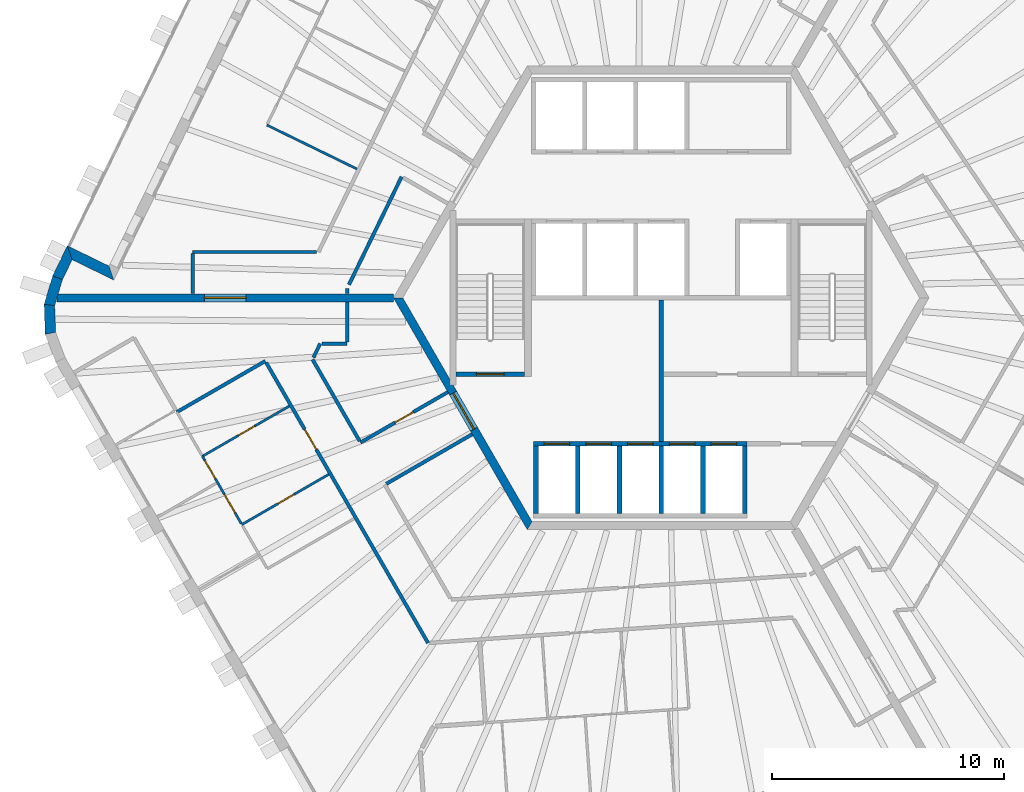
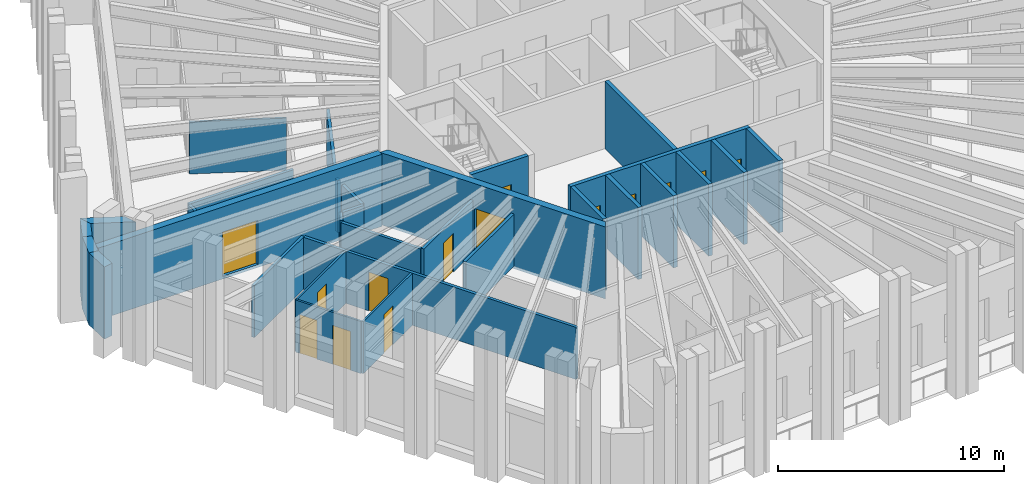
# One storey, part 4 of 12: 31 walls, 14 doors, 14 openings.
"""IFC4 building model written with IfcOpenShell, lengths in metres."""

from ifc_helpers import new_model, si_unit, direction, frame, frame_2d, origin, place, context, subcontext, project, spatial, polyline, rectangle, outline, extrude, material, layer, layer_set, type_object, element, fill, save


model = new_model("IFC4")

# Units and contexts
model_context = context("Model", 3, precision=1e-05, world=origin(), true_north=direction((0.0, 1.0)))
body_context = subcontext(model_context, "Body", "Model", "MODEL_VIEW")
ifc_project = project(units=[si_unit("LENGTHUNIT", "METRE"), si_unit("AREAUNIT", "SQUARE_METRE"), si_unit("VOLUMEUNIT", "CUBIC_METRE"), si_unit("PLANEANGLEUNIT", "RADIAN"), si_unit("MASSUNIT", "GRAM", prefix="KILO")], contexts=[model_context])

# Site, building, storey
site_placement = place(None, origin())
site = spatial("IfcSite", under=ifc_project, at=site_placement, CompositionType="ELEMENT")
building_placement = place(site_placement, origin())
building = spatial("IfcBuilding", under=site, at=building_placement, Name="Tarnside Tower", CompositionType="ELEMENT")
storey_placement = place(building_placement, frame((0.0, 0.0, 361.199951171875)))
storey = spatial("IfcBuildingStorey", under=building, at=storey_placement, Name="L87", CompositionType="ELEMENT", Elevation=361.199951171875)

# Wall, opening, door
ifc_material_1 = material(Name="Gypsum board partition on steel studs", Category="steel")
ifc_layer_1 = layer(ifc_material_1, 0.10009765625)
ifc_layer_set_1 = layer_set([ifc_layer_1], Name="Bathroom wall 100")
wall_type_1 = type_object("IfcWallType", Name="Bathroom wall 100", PredefinedType="PARTITIONING", material=ifc_layer_set_1)
wall_1_placement = place(storey_placement, frame((-16.03857421875, -4.67041015625, 0.0), z_axis=(0.0, 0.0, 1.0), x_axis=(-0.86604270489, -0.499970032409, 0.0)))
wall_1 = element("IfcWall", 1, at=wall_1_placement, inside=storey, type_object=wall_type_1, Name="Bathroom wall 28107", PredefinedType="PARTITIONING", context=body_context, shape_type="SweptSolid", body=[
    extrude(rectangle(XDim=4.324951171875, YDim=0.10009765625, at=frame_2d((2.16259765625, 0.0))), origin(), (0.0, 0.0, 1.0), 2.820068359375),
])
opening_1_placement = place(wall_1_placement, frame((1.72509765625, 0.0, 0.0)))
opening_1 = element("IfcOpeningElement", 2, at=opening_1_placement, cuts=wall_1, Name="Opening D-B1", PredefinedType="OPENING", context=body_context, shape_type="SweptSolid", body=[
    extrude(rectangle(XDim=0.800048828125, YDim=2.10009765625, at=frame_2d((0.39990234375, 1.050048828125))), frame((0.0, 0.06005859375, 0.0), z_axis=(0.0, -1.0, 0.0), x_axis=(1.0, 0.0, 0.0)), (0.0, 0.0, 1.0), 0.1201171875),
])
ifc_material_2 = material(Name="Timber door leaf", Category="wood")
door_type_1 = type_object("IfcDoorType", Name="Bathroom door 800", OperationType="NOTDEFINED", PredefinedType="DOOR", material=ifc_material_2)
door_1_placement = place(opening_1_placement, origin())
door_1 = element("IfcDoor", 3, at=door_1_placement, inside=storey, type_object=door_type_1, Name="Bathroom door 28027", OperationType="SINGLE_SWING_RIGHT", OverallHeight=2.10009765625, OverallWidth=0.800048828125, PredefinedType="DOOR", context=body_context, shape_type="SweptSolid", body=[
    extrude(rectangle(XDim=0.800048828125, YDim=2.10009765625, at=frame_2d((0.39990234375, 1.050048828125))), frame((0.0, 0.02490234375, 0.0), z_axis=(0.0, -1.0, 0.0), x_axis=(1.0, 0.0, 0.0)), (0.0, 0.0, 1.0), 0.050048828125),
])
fill(opening_1, door_1)

wall_2_placement = place(storey_placement, frame((-18.084228515625, -9.77734375, 0.0), z_axis=(0.0, 0.0, 1.0), x_axis=(0.866018262327, 0.500012369163, 0.0)))
wall_2 = element("IfcWall", 4, at=wall_2_placement, inside=storey, type_object=wall_type_1, Name="Bathroom wall 28110", PredefinedType="PARTITIONING", context=body_context, shape_type="SweptSolid", body=[
    extrude(rectangle(XDim=4.3251953125, YDim=0.10009765625, at=frame_2d((2.16259765625, 0.0))), origin(), (0.0, 0.0, 1.0), 2.820068359375),
])
opening_2_placement = place(wall_2_placement, frame((1.800048828125, 0.0, 0.0)))
opening_2 = element("IfcOpeningElement", 5, at=opening_2_placement, cuts=wall_2, Name="Opening D-B1", PredefinedType="OPENING", context=body_context, shape_type="SweptSolid", body=[
    extrude(rectangle(XDim=0.800048828125, YDim=2.10009765625, at=frame_2d((0.39990234375, 1.050048828125))), frame((0.0, 0.06005859375, 0.0), z_axis=(0.0, -1.0, 0.0), x_axis=(1.0, 0.0, 0.0)), (0.0, 0.0, 1.0), 0.1201171875),
])
door_2_placement = place(opening_2_placement, origin())
door_2 = element("IfcDoor", 6, at=door_2_placement, inside=storey, type_object=door_type_1, Name="Bathroom door 28038", OperationType="SINGLE_SWING_LEFT", OverallHeight=2.10009765625, OverallWidth=0.800048828125, PredefinedType="DOOR", context=body_context, shape_type="SweptSolid", body=[
    extrude(rectangle(XDim=0.800048828125, YDim=2.10009765625, at=frame_2d((0.39990234375, 1.050048828125))), frame((0.0, 0.02490234375, 0.0), z_axis=(0.0, -1.0, 0.0), x_axis=(1.0, 0.0, 0.0)), (0.0, 0.0, 1.0), 0.050048828125),
])
fill(opening_2, door_2)

# Wall
ifc_material_3 = material(Name="Concrete C40/50", Category="concrete")
ifc_layer_2 = layer(ifc_material_3, 0.199951171875)
ifc_layer_set_2 = layer_set([ifc_layer_2], Name="Core room partition 200 C40/50")
wall_type_2 = type_object("IfcWallType", Name="Core room partition 200 C40/50", PredefinedType="PARTITIONING", material=ifc_layer_set_2)
wall_3_placement = place(storey_placement, frame((0.0, -6.199951171875, 0.0), z_axis=(0.0, 0.0, 1.0), x_axis=(0.0, 1.0, 0.0)))
element("IfcWall", 7, at=wall_3_placement, inside=storey, type_object=wall_type_2, Name="L87 core partition X0", PredefinedType="PARTITIONING", context=body_context, shape_type="SweptSolid", body=[
    extrude(rectangle(XDim=6.099853515625, YDim=0.199951171875, at=frame_2d((3.0498046875, 0.0))), origin(), (0.0, 0.0, 1.0), 3.650146484375),
])

# Wall, opening, door
ifc_material_4 = material(Name="Concrete C50/60", Category="concrete")
ifc_layer_3 = layer(ifc_material_4, 0.35009765625)
ifc_layer_set_3 = layer_set([ifc_layer_3], Name="Core wall Z4 350 C50/60")
wall_type_3 = type_object("IfcWallType", Name="Core wall Z4 350 C50/60", PredefinedType="SHEAR", material=ifc_layer_set_3)
wall_4_placement = place(storey_placement, frame((-11.344970703125, 0.0, -0.14990234375), z_axis=(0.0, 0.0, 1.0), x_axis=(0.499995046907, -0.866028263435, 0.0)))
wall_4 = element("IfcWall", 8, at=wall_4_placement, inside=storey, type_object=wall_type_3, Name="L87 core wall face 3", PredefinedType="SHEAR", context=body_context, shape_type="SweptSolid", body=[
    extrude(outline(polyline([(-0.10107421875, -0.175048828125), (11.44580078125, -0.175048828125), (11.24365234375, 0.175048828125), (0.10107421875, 0.175048828125), (-0.10107421875, -0.175048828125)])), origin(), (0.0, 0.0, 1.0), 3.89990234375),
])
opening_3_placement = place(wall_4_placement, frame((4.74365234375, 0.0, 0.14990234375)))
opening_3 = element("IfcOpeningElement", 9, at=opening_3_placement, cuts=wall_4, Name="Opening CD-FFL", PredefinedType="OPENING", context=body_context, shape_type="SweptSolid", body=[
    extrude(rectangle(XDim=1.800048828125, YDim=2.39990234375, at=frame_2d((0.89990234375, 1.199951171875))), frame((0.0, 0.18505859375, 0.0), z_axis=(0.0, -1.0, 0.0), x_axis=(1.0, 0.0, 0.0)), (0.0, 0.0, 1.0), 0.3701171875),
])
ifc_material_5 = material(Name="Steel fire door", Category="steel")
door_type_2 = type_object("IfcDoorType", Name="Firefighting lobby double door FD60S 1800x2400", OperationType="NOTDEFINED", PredefinedType="DOOR", material=ifc_material_5)
door_3_placement = place(opening_3_placement, origin())
door_3 = element("IfcDoor", 10, at=door_3_placement, inside=storey, type_object=door_type_2, Name="L87 core door P3", OperationType="DOUBLE_DOOR_SINGLE_SWING", OverallHeight=2.39990234375, OverallWidth=1.800048828125, PredefinedType="DOOR", context=body_context, shape_type="SweptSolid", body=[
    extrude(rectangle(XDim=1.800048828125, YDim=2.39990234375, at=frame_2d((0.89990234375, 1.199951171875))), frame((0.0, 0.02490234375, 0.0), z_axis=(0.0, -1.0, 0.0), x_axis=(1.0, 0.0, 0.0)), (0.0, 0.0, 1.0), 0.050048828125),
])
fill(opening_3, door_3)

wall_5_placement = place(storey_placement, frame((-11.547119140625, 0.0, -0.14990234375), z_axis=(0.0, 0.0, 1.0), x_axis=(-1.0, 0.0, 0.0)))
wall_5 = element("IfcWall", 11, at=wall_5_placement, inside=storey, type_object=wall_type_3, Name="L87 spine wall 2", PredefinedType="SHEAR", context=body_context, shape_type="SweptSolid", body=[
    extrude(rectangle(XDim=14.510498046875, YDim=0.35009765625, at=frame_2d((7.25537109375, 0.0))), origin(), (0.0, 0.0, 1.0), 3.89990234375),
])
opening_4_placement = place(wall_5_placement, frame((6.355224609375, 0.0, 0.14990234375)))
opening_4 = element("IfcOpeningElement", 12, at=opening_4_placement, cuts=wall_5, Name="Opening CD-SPN", PredefinedType="OPENING", context=body_context, shape_type="SweptSolid", body=[
    extrude(rectangle(XDim=1.800048828125, YDim=2.39990234375, at=frame_2d((0.89990234375, 1.199951171875))), frame((0.0, 0.18505859375, 0.0), z_axis=(0.0, -1.0, 0.0), x_axis=(1.0, 0.0, 0.0)), (0.0, 0.0, 1.0), 0.3701171875),
])
door_type_3 = type_object("IfcDoorType", Name="Spine passage double door FD60 1800x2400", OperationType="NOTDEFINED", PredefinedType="DOOR", material=ifc_material_5)
door_4_placement = place(opening_4_placement, origin())
door_4 = element("IfcDoor", 13, at=door_4_placement, inside=storey, type_object=door_type_3, Name="L87 spine passage door 2", OperationType="DOUBLE_DOOR_SINGLE_SWING", OverallHeight=2.39990234375, OverallWidth=1.800048828125, PredefinedType="DOOR", context=body_context, shape_type="SweptSolid", body=[
    extrude(rectangle(XDim=1.800048828125, YDim=2.39990234375, at=frame_2d((0.89990234375, 1.199951171875))), frame((0.0, 0.02490234375, 0.0), z_axis=(0.0, -1.0, 0.0), x_axis=(1.0, 0.0, 0.0)), (0.0, 0.0, 1.0), 0.050048828125),
])
fill(opening_4, door_4)

# Walls
ifc_layer_4 = layer(ifc_material_1, 0.14990234375)
ifc_layer_set_4 = layer_set([ifc_layer_4], Name="Corridor wall 150 EI 60")
wall_type_4 = type_object("IfcWallType", Name="Corridor wall 150 EI 60", PredefinedType="PARTITIONING", material=ifc_layer_set_4)
wall_6_placement = place(storey_placement, frame((-14.863525390625, 1.97509765625, 0.0), z_axis=(0.0, 0.0, 1.0), x_axis=(-1.0, 0.0, 0.0)))
element("IfcWall", 14, at=wall_6_placement, inside=storey, type_object=wall_type_4, Name="Corridor wall 28011", PredefinedType="PARTITIONING", context=body_context, shape_type="SweptSolid", body=[
    extrude(rectangle(XDim=5.3388671875, YDim=0.14990234375, at=frame_2d((2.66943359375, 0.0))), origin(), (0.0, 0.0, 1.0), 2.820068359375),
])
wall_7_placement = place(storey_placement, frame((-20.202392578125, 1.89990234375, 0.0), z_axis=(0.0, 0.0, 1.0), x_axis=(0.0, -1.0, 0.0)))
element("IfcWall", 15, at=wall_7_placement, inside=storey, type_object=wall_type_4, Name="Corridor wall 28012", PredefinedType="PARTITIONING", context=body_context, shape_type="SweptSolid", body=[
    extrude(rectangle(XDim=1.724853515625, YDim=0.14990234375, at=frame_2d((0.8623046875, 0.0))), origin(), (0.0, 0.0, 1.0), 2.820068359375),
])
wall_8_placement = place(storey_placement, frame((-13.54052734375, 0.175048828125, 0.0), z_axis=(0.0, 0.0, 1.0), x_axis=(0.0, 1.0, 0.0)))
element("IfcWall", 16, at=wall_8_placement, inside=storey, type_object=wall_type_4, Name="Corridor wall 28017", PredefinedType="PARTITIONING", context=body_context, shape_type="SweptSolid", body=[
    extrude(rectangle(XDim=0.235107421875, YDim=0.14990234375, at=frame_2d((0.11767578125, 0.0))), origin(), (0.0, 0.0, 1.0), 2.820068359375),
])
wall_9_placement = place(storey_placement, frame((-13.465576171875, 0.563720703125, 0.0), z_axis=(0.0, 0.0, 1.0), x_axis=(0.438366040624, 0.898796536724, 0.0)))
element("IfcWall", 17, at=wall_9_placement, inside=storey, type_object=wall_type_4, Name="Corridor wall 28018", PredefinedType="PARTITIONING", context=body_context, shape_type="SweptSolid", body=[
    extrude(rectangle(XDim=5.178466796875, YDim=0.14990234375, at=frame_2d((2.58935546875, 0.0))), origin(), (0.0, 0.0, 1.0), 2.820068359375),
])

# Wall, opening, door
wall_10_placement = place(storey_placement, frame((-17.0361328125, -2.79248046875, 0.0), z_axis=(0.0, 0.0, 1.0), x_axis=(0.500006428338, -0.86602169235, 0.0)))
wall_10 = element("IfcWall", 18, at=wall_10_placement, inside=storey, type_object=wall_type_4, Name="Corridor wall 28026", PredefinedType="PARTITIONING", context=body_context, shape_type="SweptSolid", body=[
    extrude(rectangle(XDim=13.966064453125, YDim=0.14990234375, at=frame_2d((6.98291015625, 0.0))), origin(), (0.0, 0.0, 1.0), 2.820068359375),
])
opening_5_placement = place(wall_10_placement, frame((3.324951171875, 0.0, 0.0)))
opening_5 = element("IfcOpeningElement", 19, at=opening_5_placement, cuts=wall_10, Name="Opening D-E1", PredefinedType="OPENING", context=body_context, shape_type="SweptSolid", body=[
    extrude(rectangle(XDim=1.0, YDim=2.10009765625, at=frame_2d((0.5, 1.050048828125))), frame((0.0, 0.0849609375, 0.0), z_axis=(0.0, -1.0, 0.0), x_axis=(1.0, 0.0, 0.0)), (0.0, 0.0, 1.0), 0.169921875),
])
door_type_4 = type_object("IfcDoorType", Name="Unit entrance door 1000 FD30S", OperationType="NOTDEFINED", PredefinedType="DOOR", material=ifc_material_2)
door_5_placement = place(opening_5_placement, origin())
door_5 = element("IfcDoor", 20, at=door_5_placement, inside=storey, type_object=door_type_4, Name="Unit door 28026", OperationType="SINGLE_SWING_RIGHT", OverallHeight=2.10009765625, OverallWidth=1.0, PredefinedType="DOOR", context=body_context, shape_type="SweptSolid", body=[
    extrude(rectangle(XDim=1.0, YDim=2.10009765625, at=frame_2d((0.5, 1.050048828125))), frame((0.0, 0.02490234375, 0.0), z_axis=(0.0, -1.0, 0.0), x_axis=(1.0, 0.0, 0.0)), (0.0, 0.0, 1.0), 0.050048828125),
])
fill(opening_5, door_5)

# Wall
wall_11_placement = place(storey_placement, frame((-20.88427734375, -4.927490234375, 0.0), z_axis=(0.0, 0.0, 1.0), x_axis=(0.866032203192, 0.499988222896, 0.0)))
element("IfcWall", 21, at=wall_11_placement, inside=storey, type_object=wall_type_4, Name="Corridor wall 28029", PredefinedType="PARTITIONING", context=body_context, shape_type="SweptSolid", body=[
    extrude(rectangle(XDim=4.39990234375, YDim=0.14990234375, at=frame_2d((2.199951171875, 0.0))), origin(), (0.0, 0.0, 1.0), 2.820068359375),
])

# Wall, opening, door
wall_12_placement = place(storey_placement, frame((-9.19970703125, -4.065673828125, 0.0), z_axis=(0.0, 0.0, 1.0), x_axis=(-0.866013608182, -0.500020430026, 0.0)))
wall_12 = element("IfcWall", 22, at=wall_12_placement, inside=storey, type_object=wall_type_4, Name="Corridor wall 28040", PredefinedType="PARTITIONING", context=body_context, shape_type="SweptSolid", body=[
    extrude(rectangle(XDim=4.349853515625, YDim=0.14990234375, at=frame_2d((2.1748046875, 0.0))), origin(), (0.0, 0.0, 1.0), 2.820068359375),
])
opening_6_placement = place(wall_12_placement, frame((1.72509765625, 0.0, 0.0)))
opening_6 = element("IfcOpeningElement", 23, at=opening_6_placement, cuts=wall_12, Name="Opening D-S1", PredefinedType="OPENING", context=body_context, shape_type="SweptSolid", body=[
    extrude(rectangle(XDim=0.89990234375, YDim=2.10009765625, at=frame_2d((0.449951171875, 1.050048828125))), frame((0.0, 0.0849609375, 0.0), z_axis=(0.0, -1.0, 0.0), x_axis=(1.0, 0.0, 0.0)), (0.0, 0.0, 1.0), 0.169921875),
])
door_type_5 = type_object("IfcDoorType", Name="Service room door 900 FD30S", OperationType="NOTDEFINED", PredefinedType="DOOR", material=ifc_material_2)
door_6_placement = place(opening_6_placement, origin())
door_6 = element("IfcDoor", 24, at=door_6_placement, inside=storey, type_object=door_type_5, Name="Service door 28065", OperationType="SINGLE_SWING_LEFT", OverallHeight=2.10009765625, OverallWidth=0.89990234375, PredefinedType="DOOR", context=body_context, shape_type="SweptSolid", body=[
    extrude(rectangle(XDim=0.89990234375, YDim=2.10009765625, at=frame_2d((0.449951171875, 1.050048828125))), frame((0.0, 0.02490234375, 0.0), z_axis=(0.0, -1.0, 0.0), x_axis=(1.0, 0.0, 0.0)), (0.0, 0.0, 1.0), 0.050048828125),
])
fill(opening_6, door_6)

# Walls
wall_13_placement = place(storey_placement, frame((-13.00439453125, -6.17578125, 0.0), z_axis=(0.0, 0.0, 1.0), x_axis=(-0.500022342669, 0.866012503854, 0.0)))
element("IfcWall", 25, at=wall_13_placement, inside=storey, type_object=wall_type_4, Name="Corridor wall 28041", PredefinedType="PARTITIONING", context=body_context, shape_type="SweptSolid", body=[
    extrude(rectangle(XDim=4.063720703125, YDim=0.14990234375, at=frame_2d((2.03173828125, 0.0))), origin(), (0.0, 0.0, 1.0), 2.820068359375),
])
wall_14_placement = place(storey_placement, frame((-14.99658203125, -2.5751953125, 0.0), z_axis=(0.0, 0.0, 1.0), x_axis=(0.438416427913, 0.898771959808, 0.0)))
element("IfcWall", 26, at=wall_14_placement, inside=storey, type_object=wall_type_4, Name="Corridor wall 28042", PredefinedType="PARTITIONING", context=body_context, shape_type="SweptSolid", body=[
    extrude(rectangle(XDim=0.667724609375, YDim=0.14990234375, at=frame_2d((0.333984375, 0.0))), origin(), (0.0, 0.0, 1.0), 2.820068359375),
])
wall_15_placement = place(storey_placement, frame((-14.620361328125, -1.97509765625, 0.0), z_axis=(0.0, 0.0, 1.0), x_axis=(1.0, 0.0, 0.0)))
element("IfcWall", 27, at=wall_15_placement, inside=storey, type_object=wall_type_4, Name="Corridor wall 28043", PredefinedType="PARTITIONING", context=body_context, shape_type="SweptSolid", body=[
    extrude(rectangle(XDim=1.079833984375, YDim=0.14990234375, at=frame_2d((0.5400390625, 0.0))), origin(), (0.0, 0.0, 1.0), 2.820068359375),
])
wall_16_placement = place(storey_placement, frame((-13.54052734375, -1.89990234375, 0.0), z_axis=(0.0, 0.0, 1.0), x_axis=(0.0, 1.0, 0.0)))
element("IfcWall", 28, at=wall_16_placement, inside=storey, type_object=wall_type_4, Name="Corridor wall 28044", PredefinedType="PARTITIONING", context=body_context, shape_type="SweptSolid", body=[
    extrude(rectangle(XDim=1.724853515625, YDim=0.14990234375, at=frame_2d((0.8623046875, 0.0))), origin(), (0.0, 0.0, 1.0), 2.820068359375),
])
wall_17_placement = place(storey_placement, frame((-11.85205078125, -8.021728515625, 0.0), z_axis=(0.0, 0.0, 1.0), x_axis=(0.866038183914, 0.499977863513, 0.0)))
element("IfcWall", 29, at=wall_17_placement, inside=storey, type_object=wall_type_4, Name="Corridor wall 28048", PredefinedType="PARTITIONING", context=body_context, shape_type="SweptSolid", body=[
    extrude(rectangle(XDim=4.275146484375, YDim=0.14990234375, at=frame_2d((2.1376953125, 0.0))), origin(), (0.0, 0.0, 1.0), 2.820068359375),
])

# Wall, openings, doors
ifc_layer_5 = layer(ifc_material_3, 0.199951171875)
ifc_layer_set_5 = layer_set([ifc_layer_5], Name="Lift shaft wall 200 C40/50")
wall_type_5 = type_object("IfcWallType", Name="Lift shaft wall 200 C40/50", PredefinedType="SHEAR", material=ifc_layer_set_5)
wall_18_placement = place(storey_placement, frame((-5.5, -6.300048828125, -0.25), z_axis=(0.0, 0.0, 1.0), x_axis=(1.0, 0.0, 0.0)))
wall_18 = element("IfcWall", 30, at=wall_18_placement, inside=storey, type_object=wall_type_5, Name="L87 lift shaft front wall R4", PredefinedType="SHEAR", context=body_context, shape_type="SweptSolid", body=[
    extrude(rectangle(XDim=9.199951171875, YDim=0.199951171875, at=frame_2d((4.60009765625, 0.0))), origin(), (0.0, 0.0, 1.0), 3.900146484375),
])
opening_7_placement = place(wall_18_placement, frame((0.449951171875, 0.0, 0.25)))
opening_7 = element("IfcOpeningElement", 31, at=opening_7_placement, cuts=wall_18, Name="Opening LDF", PredefinedType="OPENING", context=body_context, shape_type="SweptSolid", body=[
    extrude(rectangle(XDim=1.10009765625, YDim=2.10009765625, at=frame_2d((0.550048828125, 1.050048828125))), frame((0.0, 0.10986328125, 0.0), z_axis=(0.0, -1.0, 0.0), x_axis=(1.0, 0.0, 0.0)), (0.0, 0.0, 1.0), 0.219970703125),
])
opening_8_placement = place(wall_18_placement, frame((2.25, 0.0, 0.25)))
opening_8 = element("IfcOpeningElement", 32, at=opening_8_placement, cuts=wall_18, Name="Opening LDF", PredefinedType="OPENING", context=body_context, shape_type="SweptSolid", body=[
    extrude(rectangle(XDim=1.10009765625, YDim=2.10009765625, at=frame_2d((0.550048828125, 1.050048828125))), frame((0.0, 0.10986328125, 0.0), z_axis=(0.0, -1.0, 0.0), x_axis=(1.0, 0.0, 0.0)), (0.0, 0.0, 1.0), 0.219970703125),
])
opening_9_placement = place(wall_18_placement, frame((4.050048828125, 0.0, 0.25)))
opening_9 = element("IfcOpeningElement", 33, at=opening_9_placement, cuts=wall_18, Name="Opening LDF", PredefinedType="OPENING", context=body_context, shape_type="SweptSolid", body=[
    extrude(rectangle(XDim=1.10009765625, YDim=2.10009765625, at=frame_2d((0.550048828125, 1.050048828125))), frame((0.0, 0.10986328125, 0.0), z_axis=(0.0, -1.0, 0.0), x_axis=(1.0, 0.0, 0.0)), (0.0, 0.0, 1.0), 0.219970703125),
])
opening_10_placement = place(wall_18_placement, frame((5.85009765625, 0.0, 0.25)))
opening_10 = element("IfcOpeningElement", 34, at=opening_10_placement, cuts=wall_18, Name="Opening LDF", PredefinedType="OPENING", context=body_context, shape_type="SweptSolid", body=[
    extrude(rectangle(XDim=1.10009765625, YDim=2.10009765625, at=frame_2d((0.550048828125, 1.050048828125))), frame((0.0, 0.10986328125, 0.0), z_axis=(0.0, -1.0, 0.0), x_axis=(1.0, 0.0, 0.0)), (0.0, 0.0, 1.0), 0.219970703125),
])
opening_11_placement = place(wall_18_placement, frame((7.64990234375, 0.0, 0.25)))
opening_11 = element("IfcOpeningElement", 35, at=opening_11_placement, cuts=wall_18, Name="Opening LDF", PredefinedType="OPENING", context=body_context, shape_type="SweptSolid", body=[
    extrude(rectangle(XDim=1.10009765625, YDim=2.10009765625, at=frame_2d((0.550048828125, 1.050048828125))), frame((0.0, 0.10986328125, 0.0), z_axis=(0.0, -1.0, 0.0), x_axis=(1.0, 0.0, 0.0)), (0.0, 0.0, 1.0), 0.219970703125),
])
ifc_material_6 = material(Name="Stainless steel", Category="steel")
door_type_6 = type_object("IfcDoorType", Name="Lift landing door 1100x2100 EI 120", OperationType="NOTDEFINED", PredefinedType="DOOR", material=ifc_material_6)
door_7_placement = place(opening_7_placement, origin())
door_7 = element("IfcDoor", 36, at=door_7_placement, inside=storey, type_object=door_type_6, Name="Firefighting lift 1 landing door L87", OperationType="SLIDING_TO_LEFT", OverallHeight=2.10009765625, OverallWidth=1.10009765625, PredefinedType="DOOR", context=body_context, shape_type="SweptSolid", body=[
    extrude(rectangle(XDim=1.10009765625, YDim=2.10009765625, at=frame_2d((0.550048828125, 1.050048828125))), frame((0.0, 0.02490234375, 0.0), z_axis=(0.0, -1.0, 0.0), x_axis=(1.0, 0.0, 0.0)), (0.0, 0.0, 1.0), 0.050048828125),
])
fill(opening_7, door_7)
door_8_placement = place(opening_8_placement, origin())
door_8 = element("IfcDoor", 37, at=door_8_placement, inside=storey, type_object=door_type_6, Name="Firefighting lift 2 landing door L87", OperationType="SLIDING_TO_LEFT", OverallHeight=2.10009765625, OverallWidth=1.10009765625, PredefinedType="DOOR", context=body_context, shape_type="SweptSolid", body=[
    extrude(rectangle(XDim=1.10009765625, YDim=2.10009765625, at=frame_2d((0.550048828125, 1.050048828125))), frame((0.0, 0.02490234375, 0.0), z_axis=(0.0, -1.0, 0.0), x_axis=(1.0, 0.0, 0.0)), (0.0, 0.0, 1.0), 0.050048828125),
])
fill(opening_8, door_8)
door_9_placement = place(opening_9_placement, origin())
door_9 = element("IfcDoor", 38, at=door_9_placement, inside=storey, type_object=door_type_6, Name="Firefighting lift 3 landing door L87", OperationType="SLIDING_TO_LEFT", OverallHeight=2.10009765625, OverallWidth=1.10009765625, PredefinedType="DOOR", context=body_context, shape_type="SweptSolid", body=[
    extrude(rectangle(XDim=1.10009765625, YDim=2.10009765625, at=frame_2d((0.550048828125, 1.050048828125))), frame((0.0, 0.02490234375, 0.0), z_axis=(0.0, -1.0, 0.0), x_axis=(1.0, 0.0, 0.0)), (0.0, 0.0, 1.0), 0.050048828125),
])
fill(opening_9, door_9)
door_10_placement = place(opening_10_placement, origin())
door_10 = element("IfcDoor", 39, at=door_10_placement, inside=storey, type_object=door_type_6, Name="Firefighting lift 4 landing door L87", OperationType="SLIDING_TO_LEFT", OverallHeight=2.10009765625, OverallWidth=1.10009765625, PredefinedType="DOOR", context=body_context, shape_type="SweptSolid", body=[
    extrude(rectangle(XDim=1.10009765625, YDim=2.10009765625, at=frame_2d((0.550048828125, 1.050048828125))), frame((0.0, 0.02490234375, 0.0), z_axis=(0.0, -1.0, 0.0), x_axis=(1.0, 0.0, 0.0)), (0.0, 0.0, 1.0), 0.050048828125),
])
fill(opening_10, door_10)
door_11_placement = place(opening_11_placement, origin())
door_11 = element("IfcDoor", 40, at=door_11_placement, inside=storey, type_object=door_type_6, Name="Firefighting lift 5 landing door L87", OperationType="SLIDING_TO_LEFT", OverallHeight=2.10009765625, OverallWidth=1.10009765625, PredefinedType="DOOR", context=body_context, shape_type="SweptSolid", body=[
    extrude(rectangle(XDim=1.10009765625, YDim=2.10009765625, at=frame_2d((0.550048828125, 1.050048828125))), frame((0.0, 0.02490234375, 0.0), z_axis=(0.0, -1.0, 0.0), x_axis=(1.0, 0.0, 0.0)), (0.0, 0.0, 1.0), 0.050048828125),
])
fill(opening_11, door_11)

# Walls
for number, where, z_axis, x_axis, name in (
    (41, (-5.39990234375, -9.300048828125, -0.25), (0.0, 0.0, 1.0), (0.0, 1.0, 0.0), "L87 lift shaft partition R41"),
    (42, (-3.60009765625, -9.300048828125, -0.25), (0.0, 0.0, 1.0), (0.0, 1.0, 0.0), "L87 lift shaft partition R42"),
    (43, (-1.800048828125, -9.300048828125, -0.25), (0.0, 0.0, 1.0), (0.0, 1.0, 0.0), "L87 lift shaft partition R43"),
    (44, (0.0, -9.300048828125, -0.25), (0.0, 0.0, 1.0), (0.0, 1.0, 0.0), "L87 lift shaft partition R44"),
    (45, (1.800048828125, -9.300048828125, -0.25), (0.0, 0.0, 1.0), (0.0, 1.0, 0.0), "L87 lift shaft partition R45"),
    (46, (3.60009765625, -9.300048828125, -0.25), (0.0, 0.0, 1.0), (0.0, 1.0, 0.0), "L87 lift shaft partition R46"),
):
    element("IfcWall", number, at=place(storey_placement, frame(where, z_axis=z_axis, x_axis=x_axis)), inside=storey, type_object=wall_type_5, Name=name, PredefinedType="SHEAR", context=body_context, shape_type="SweptSolid", body=[
        extrude(rectangle(XDim=2.900146484375, YDim=0.199951171875, at=frame_2d((1.4501953125, 0.0))), origin(), (0.0, 0.0, 1.0), 3.900146484375),
    ])

# Wall, opening, door
wall_19_placement = place(storey_placement, frame((-8.85009765625, -3.300048828125, -0.25), z_axis=(0.0, 0.0, 1.0), x_axis=(1.0, 0.0, 0.0)))
wall_19 = element("IfcWall", 47, at=wall_19_placement, inside=storey, type_object=wall_type_5, Name="L87 stair 2 enclosure cap wall s", PredefinedType="SHEAR", context=body_context, shape_type="SweptSolid", body=[
    extrude(rectangle(XDim=2.9501953125, YDim=0.199951171875, at=frame_2d((1.47509765625, 0.0))), origin(), (0.0, 0.0, 1.0), 3.900146484375),
])
opening_12_placement = place(wall_19_placement, frame((0.875, 0.0, 0.25)))
opening_12 = element("IfcOpeningElement", 48, at=opening_12_placement, cuts=wall_19, Name="Opening CD-STR", PredefinedType="OPENING", context=body_context, shape_type="SweptSolid", body=[
    extrude(rectangle(XDim=1.199951171875, YDim=2.39990234375, at=frame_2d((0.60009765625, 1.199951171875))), frame((0.0, 0.10986328125, 0.0), z_axis=(0.0, -1.0, 0.0), x_axis=(1.0, 0.0, 0.0)), (0.0, 0.0, 1.0), 0.219970703125),
])
door_type_7 = type_object("IfcDoorType", Name="Stair door FD60S 1200x2400", OperationType="NOTDEFINED", PredefinedType="DOOR", material=ifc_material_5)
door_12_placement = place(opening_12_placement, origin())
door_12 = element("IfcDoor", 49, at=door_12_placement, inside=storey, type_object=door_type_7, Name="L87 stair 2 door", OperationType="SINGLE_SWING_LEFT", OverallHeight=2.39990234375, OverallWidth=1.199951171875, PredefinedType="DOOR", context=body_context, shape_type="SweptSolid", body=[
    extrude(rectangle(XDim=1.199951171875, YDim=2.39990234375, at=frame_2d((0.60009765625, 1.199951171875))), frame((0.0, 0.02490234375, 0.0), z_axis=(0.0, -1.0, 0.0), x_axis=(1.0, 0.0, 0.0)), (0.0, 0.0, 1.0), 0.050048828125),
])
fill(opening_12, door_12)

# Walls
ifc_material_7 = material(Name="Dark zinc cladding")
ifc_layer_6 = layer(ifc_material_7, 0.10205078125)
ifc_material_8 = material(Name="Concrete C60/75 precast", Category="concrete")
ifc_layer_7 = layer(ifc_material_8, 0.248046875)
ifc_material_9 = material(Name="Mineral wool insulation")
ifc_layer_8 = layer(ifc_material_9, 0.10009765625)
ifc_layer_set_6 = layer_set([ifc_layer_6, ifc_layer_7, ifc_layer_8], Name="Loggia wall 450 zinc faced")
wall_type_6 = type_object("IfcWallType", Name="Loggia wall 450 zinc faced", PredefinedType="SOLIDWALL", material=ifc_layer_set_6)
wall_20_placement = place(storey_placement, frame((-23.70703125, 1.066162109375, -0.14990234375), z_axis=(0.0, 0.0, 1.0), x_axis=(-0.898779005228, 0.438401984213, 0.0)))
element("IfcWall", 50, at=wall_20_placement, inside=storey, type_object=wall_type_6, Name="Tube wall L87 F2 return 07", PredefinedType="SOLIDWALL", context=body_context, shape_type="SweptSolid", body=[
    extrude(outline(polyline([(0.224853515625, -0.22509765625), (2.224609375, -0.22509765625), (1.77490234375, 0.22509765625), (-0.224853515625, 0.22509765625), (0.224853515625, -0.22509765625)])), origin(), (0.0, 0.0, 1.0), 3.89990234375),
])
wall_21_placement = place(storey_placement, frame((-25.50439453125, 1.94287109375, -0.14990234375), z_axis=(0.0, 0.0, 1.0), x_axis=(-0.43840359141, -0.898778221275, 0.0)))
element("IfcWall", 51, at=wall_21_placement, inside=storey, type_object=wall_type_6, Name="Tube wall L87 F2 stub 08", PredefinedType="SOLIDWALL", context=body_context, shape_type="SweptSolid", body=[
    extrude(outline(polyline([(-0.224853515625, -0.22509765625), (1.218505859375, -0.22509765625), (1.181884765625, 0.22509765625), (0.224853515625, 0.22509765625), (-0.224853515625, -0.22509765625)])), origin(), (0.0, 0.0, 1.0), 3.89990234375),
])
ifc_layer_9 = layer(ifc_material_1, 0.10009765625)
ifc_layer_set_7 = layer_set([ifc_layer_9], Name="Partition 100")
wall_type_7 = type_object("IfcWallType", Name="Partition 100", PredefinedType="PARTITIONING", material=ifc_layer_set_7)
wall_22_placement = place(storey_placement, frame((-13.11767578125, 5.554443359375, 0.0), z_axis=(0.0, 0.0, 1.0), x_axis=(-0.898786890582, 0.438385817879, 0.0)))
element("IfcWall", 52, at=wall_22_placement, inside=storey, type_object=wall_type_7, Name="Partition wall 28091", PredefinedType="PARTITIONING", context=body_context, shape_type="SweptSolid", body=[
    extrude(rectangle(XDim=4.324951171875, YDim=0.10009765625, at=frame_2d((2.16259765625, 0.0))), origin(), (0.0, 0.0, 1.0), 2.820068359375),
])

# Wall, openings, doors
wall_23_placement = place(storey_placement, frame((-19.78515625, -6.8310546875, 0.0), z_axis=(0.0, 0.0, 1.0), x_axis=(0.499982885398, -0.866035284679, 0.0)))
wall_23 = element("IfcWall", 53, at=wall_23_placement, inside=storey, type_object=wall_type_7, Name="Partition wall 28108", PredefinedType="PARTITIONING", context=body_context, shape_type="SweptSolid", body=[
    extrude(rectangle(XDim=3.35400390625, YDim=0.10009765625, at=frame_2d((1.677001953125, 0.0))), origin(), (0.0, 0.0, 1.0), 2.820068359375),
])
opening_13_placement = place(wall_23_placement, frame((0.208251953125, 0.0, 0.0)))
opening_13 = element("IfcOpeningElement", 54, at=opening_13_placement, cuts=wall_23, Name="Opening D-I1", PredefinedType="OPENING", context=body_context, shape_type="SweptSolid", body=[
    extrude(rectangle(XDim=0.89990234375, YDim=2.10009765625, at=frame_2d((0.449951171875, 1.050048828125))), frame((0.0, 0.06005859375, 0.0), z_axis=(0.0, -1.0, 0.0), x_axis=(1.0, 0.0, 0.0)), (0.0, 0.0, 1.0), 0.1201171875),
])
opening_14_placement = place(wall_23_placement, frame((1.905029296875, 0.0, 0.0)))
opening_14 = element("IfcOpeningElement", 55, at=opening_14_placement, cuts=wall_23, Name="Opening D-I1", PredefinedType="OPENING", context=body_context, shape_type="SweptSolid", body=[
    extrude(rectangle(XDim=0.89990234375, YDim=2.10009765625, at=frame_2d((0.449951171875, 1.050048828125))), frame((0.0, 0.06005859375, 0.0), z_axis=(0.0, -1.0, 0.0), x_axis=(1.0, 0.0, 0.0)), (0.0, 0.0, 1.0), 0.1201171875),
])
door_type_8 = type_object("IfcDoorType", Name="Internal door 900", OperationType="NOTDEFINED", PredefinedType="DOOR", material=ifc_material_2)
door_13_placement = place(opening_13_placement, origin())
door_13 = element("IfcDoor", 56, at=door_13_placement, inside=storey, type_object=door_type_8, Name="Internal door 28030", OperationType="SINGLE_SWING_LEFT", OverallHeight=2.10009765625, OverallWidth=0.89990234375, PredefinedType="DOOR", context=body_context, shape_type="SweptSolid", body=[
    extrude(rectangle(XDim=0.89990234375, YDim=2.10009765625, at=frame_2d((0.449951171875, 1.050048828125))), frame((0.0, 0.02490234375, 0.0), z_axis=(0.0, -1.0, 0.0), x_axis=(1.0, 0.0, 0.0)), (0.0, 0.0, 1.0), 0.050048828125),
])
fill(opening_13, door_13)
door_14_placement = place(opening_14_placement, origin())
door_14 = element("IfcDoor", 57, at=door_14_placement, inside=storey, type_object=door_type_8, Name="Internal door 28037", OperationType="SINGLE_SWING_RIGHT", OverallHeight=2.10009765625, OverallWidth=0.89990234375, PredefinedType="DOOR", context=body_context, shape_type="SweptSolid", body=[
    extrude(rectangle(XDim=0.89990234375, YDim=2.10009765625, at=frame_2d((0.449951171875, 1.050048828125))), frame((0.0, 0.02490234375, 0.0), z_axis=(0.0, -1.0, 0.0), x_axis=(1.0, 0.0, 0.0)), (0.0, 0.0, 1.0), 0.050048828125),
])
fill(opening_14, door_14)

# Walls
ifc_material_10 = material(Name="Facing brick", Category="masonry")
ifc_layer_10 = layer(ifc_material_10, 0.10205078125)
ifc_layer_11 = layer(ifc_material_8, 0.248046875)
ifc_layer_12 = layer(ifc_material_9, 0.10009765625)
ifc_layer_set_8 = layer_set([ifc_layer_10, ifc_layer_11, ifc_layer_12], Name="Tube wall 450 brick faced")
wall_type_8 = type_object("IfcWallType", Name="Tube wall 450 brick faced", PredefinedType="SOLIDWALL", material=ifc_layer_set_8)
wall_24_placement = place(storey_placement, frame((-26.030517578125, 0.8642578125, -0.14990234375), z_axis=(0.0, 0.0, 1.0), x_axis=(-0.286945389156, -0.957946941977, 0.0)))
element("IfcWall", 58, at=wall_24_placement, inside=storey, type_object=wall_type_8, Name="Tube wall L87 F2 chord 09", PredefinedType="SOLIDWALL", context=body_context, shape_type="SweptSolid", body=[
    extrude(outline(polyline([(-0.018310546875, -0.22509765625), (1.26123046875, -0.22509765625), (1.1875, 0.22509765625), (0.018310546875, 0.22509765625), (-0.018310546875, -0.22509765625)])), origin(), (0.0, 0.0, 1.0), 3.89990234375),
])
wall_25_placement = place(storey_placement, frame((-26.3818359375, -0.30859375, -0.14990234375), z_axis=(0.0, 0.0, 1.0), x_axis=(0.034887984255, -0.999391228976, 0.0)))
element("IfcWall", 59, at=wall_25_placement, inside=storey, type_object=wall_type_8, Name="Tube wall L87 F2 chord 10", PredefinedType="SOLIDWALL", context=body_context, shape_type="SweptSolid", body=[
    extrude(outline(polyline([(-0.036865234375, -0.22509765625), (1.261474609375, -0.22509765625), (1.187744140625, 0.22509765625), (0.036865234375, 0.22509765625), (-0.036865234375, -0.22509765625)])), origin(), (0.0, 0.0, 1.0), 3.89990234375),
])

save(model, "model.ifc")
